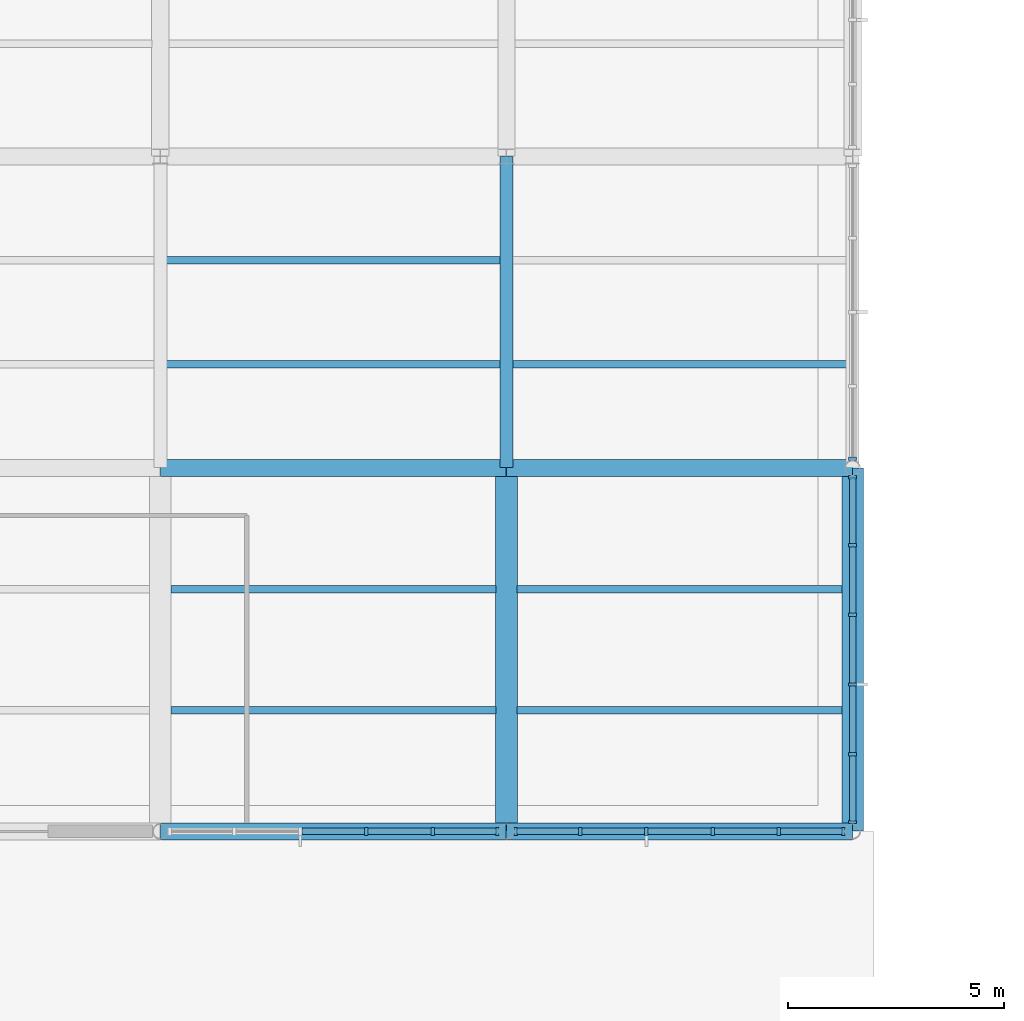
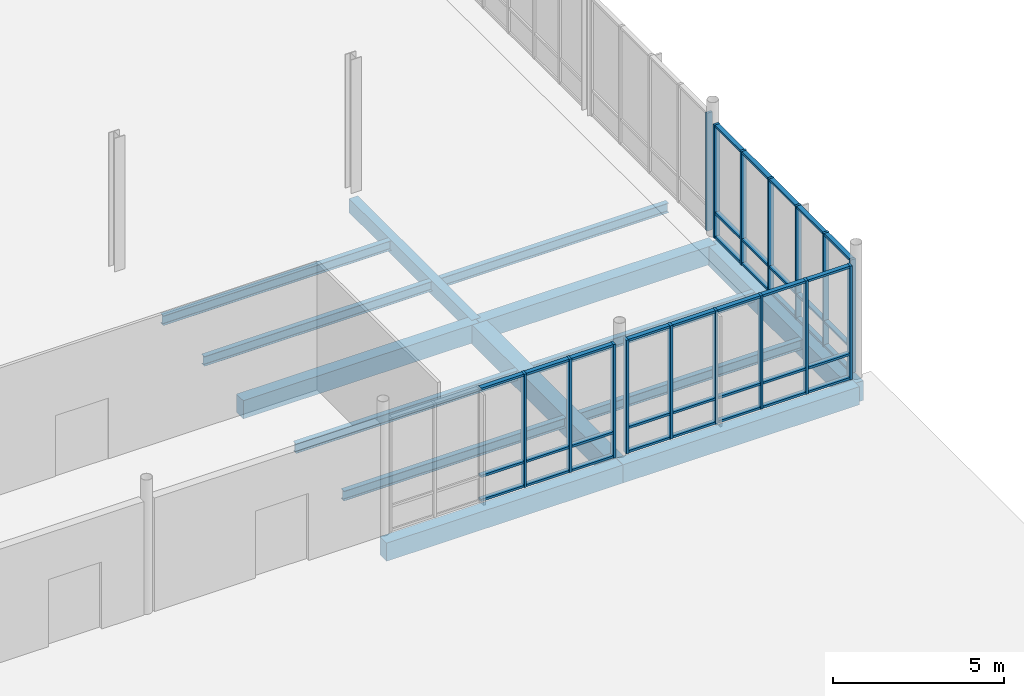
# One storey, part 24 of 82: 55 members, 14 beams, 4 elements without a shape of their own.
"""IFC4 building model written with IfcOpenShell, lengths in metres."""

from ifc_helpers import new_model, si_unit, direction, frame, origin, origin_2d, place, context, subcontext, project, spatial, rectangle, i_section, extrude, material, layer, layer_set, material_profile, profile_set, type_object, element, aggregate, save


model = new_model("IFC4")

# Units and contexts
model_context = context("Model", 3, precision=1e-05, world=origin(), true_north=direction((0.0, 1.0)))
body_context = subcontext(model_context, "Body", "Model", "MODEL_VIEW")
ifc_project = project(units=[si_unit("LENGTHUNIT", "METRE"), si_unit("AREAUNIT", "SQUARE_METRE"), si_unit("VOLUMEUNIT", "CUBIC_METRE"), si_unit("PLANEANGLEUNIT", "RADIAN"), si_unit("MASSUNIT", "GRAM", prefix="KILO")], contexts=[model_context])

# Site, building, storey
site_placement = place(None, origin())
site = spatial("IfcSite", under=ifc_project, at=site_placement, CompositionType="ELEMENT")
building_placement = place(site_placement, origin())
building = spatial("IfcBuilding", under=site, at=building_placement, Name="Yukiwa Park Conservatory and Herbarium", CompositionType="ELEMENT")
storey_placement = place(building_placement, origin())
storey = spatial("IfcBuildingStorey", under=building, at=storey_placement, Name="L00", CompositionType="ELEMENT", Elevation=0.0)

# Beams
ifc_material_1 = material(Name="Steel Q355D", Category="steel")
ifc_material_profile_1 = material_profile(ifc_material_1, i_section(OverallWidth=0.174072265625, OverallDepth=0.345947265625, WebThickness=0.006103515625, FlangeThickness=0.009033203125, FilletRadius=0.013916015625, at=origin_2d()), Name="HN 346x174x6x9")
ifc_profile_set_1 = profile_set([ifc_material_profile_1], Name="Steel Q355D")
beam_type_1 = type_object("IfcBeamType", Name="BM-JST-HN346", PredefinedType="JOIST", material=ifc_profile_set_1)
for number, where, z_axis, x_axis, name in (
    (1, (92.24609375, 18.39990234375, -0.43310546875), (1.0, 0.0, 0.0), (0.0, 1.0, 0.0), "L00 composite floor joist 151"),
    (2, (92.24609375, 21.199951171875, -0.43310546875), (1.0, 0.0, 0.0), (0.0, 1.0, 0.0), "L00 composite floor joist 152"),
):
    element("IfcBeam", number, at=place(storey_placement, frame(where, z_axis=z_axis, x_axis=x_axis)), inside=storey, type_object=beam_type_1, Name=name, PredefinedType="JOIST", context=body_context, shape_type="SweptSolid", body=[
        extrude(i_section(OverallWidth=0.174072265625, OverallDepth=0.345947265625, WebThickness=0.006103515625, FlangeThickness=0.009033203125, FilletRadius=0.013916015625, at=origin_2d()), origin(), (0.0, 0.0, 1.0), 7.5078125),
    ])
for number, where, z_axis, x_axis, name in (
    (3, (92.14599609375, 26.39990234375, -0.43310546875), (1.0, 0.0, 0.0), (0.0, 1.0, 0.0), "L00 composite floor joist 153"),
    (4, (92.14599609375, 28.800048828125, -0.43310546875), (1.0, 0.0, 0.0), (0.0, 1.0, 0.0), "L00 composite floor joist 154"),
):
    element("IfcBeam", number, at=place(storey_placement, frame(where, z_axis=z_axis, x_axis=x_axis)), inside=storey, type_object=beam_type_1, Name=name, PredefinedType="JOIST", context=body_context, shape_type="SweptSolid", body=[
        extrude(i_section(OverallWidth=0.174072265625, OverallDepth=0.345947265625, WebThickness=0.006103515625, FlangeThickness=0.009033203125, FilletRadius=0.013916015625, at=origin_2d()), origin(), (0.0, 0.0, 1.0), 7.7080078125),
    ])
for number, where, z_axis, x_axis, name in (
    (5, (100.24609375, 18.39990234375, -0.43310546875), (1.0, 0.0, 0.0), (0.0, 1.0, 0.0), "L00 composite floor joist 167"),
    (6, (100.24609375, 21.199951171875, -0.43310546875), (1.0, 0.0, 0.0), (0.0, 1.0, 0.0), "L00 composite floor joist 168"),
):
    element("IfcBeam", number, at=place(storey_placement, frame(where, z_axis=z_axis, x_axis=x_axis)), inside=storey, type_object=beam_type_1, Name=name, PredefinedType="JOIST", context=body_context, shape_type="SweptSolid", body=[
        extrude(i_section(OverallWidth=0.174072265625, OverallDepth=0.345947265625, WebThickness=0.006103515625, FlangeThickness=0.009033203125, FilletRadius=0.013916015625, at=origin_2d()), origin(), (0.0, 0.0, 1.0), 7.5078125),
    ])
beam_1_placement = place(storey_placement, frame((100.14599609375, 26.39990234375, -0.43310546875), z_axis=(1.0, 0.0, 0.0), x_axis=(0.0, 1.0, 0.0)))
element("IfcBeam", 7, at=beam_1_placement, inside=storey, type_object=beam_type_1, Name="L00 composite floor joist 169", PredefinedType="JOIST", context=body_context, shape_type="SweptSolid", body=[
    extrude(i_section(OverallWidth=0.174072265625, OverallDepth=0.345947265625, WebThickness=0.006103515625, FlangeThickness=0.009033203125, FilletRadius=0.013916015625, at=origin_2d()), origin(), (0.0, 0.0, 1.0), 7.7080078125),
])
ifc_material_2 = material(Name="Concrete C40", Category="concrete")
ifc_material_profile_2 = material_profile(ifc_material_2, rectangle(XDim=0.300048828125, YDim=0.5, at=origin_2d()), Name="RC 300x500")
ifc_profile_set_2 = profile_set([ifc_material_profile_2], Name="Concrete C40")
beam_type_2 = type_object("IfcBeamType", Name="BM-RC-300X500", PredefinedType="BEAM", material=ifc_profile_set_2)
beam_2_placement = place(storey_placement, frame((100.0, 24.006103515625, -0.510009765625), z_axis=(0.0, 1.0, 0.0), x_axis=(-1.0, 0.0, 0.0)))
element("IfcBeam", 8, at=beam_2_placement, inside=storey, type_object=beam_type_2, Name="L00 grid girder Y-256", PredefinedType="BEAM", context=body_context, shape_type="SweptSolid", body=[
    extrude(rectangle(XDim=0.300048828125, YDim=0.5, at=origin_2d()), origin(), (0.0, 0.0, 1.0), 7.18798828125),
])
ifc_material_3 = material(Name="Concrete C40", Category="concrete")
ifc_material_profile_3 = material_profile(ifc_material_3, rectangle(XDim=0.39990234375, YDim=0.64990234375, at=origin_2d()), Name="RC 400x650")
ifc_profile_set_3 = profile_set([ifc_material_profile_3], Name="Concrete C40")
beam_type_3 = type_object("IfcBeamType", Name="BM-RC-400X650", PredefinedType="BEAM", material=ifc_profile_set_3)
for number, where, z_axis, x_axis, name in (
    (9, (92.006103515625, 15.60009765625, -0.5849609375), (1.0, 0.0, 0.0), (0.0, 1.0, 0.0), "L00 grid beam X-29"),
    (10, (100.006103515625, 15.60009765625, -0.5849609375), (1.0, 0.0, 0.0), (0.0, 1.0, 0.0), "L00 grid beam X-30"),
    (11, (92.006103515625, 24.0, -0.5849609375), (1.0, 0.0, 0.0), (0.0, 1.0, 0.0), "L00 grid beam X-43"),
    (12, (100.006103515625, 24.0, -0.5849609375), (1.0, 0.0, 0.0), (0.0, 1.0, 0.0), "L00 grid beam X-44"),
):
    element("IfcBeam", number, at=place(storey_placement, frame(where, z_axis=z_axis, x_axis=x_axis)), inside=storey, type_object=beam_type_3, Name=name, PredefinedType="BEAM", context=body_context, shape_type="SweptSolid", body=[
        extrude(rectangle(XDim=0.39990234375, YDim=0.64990234375, at=origin_2d()), origin(), (0.0, 0.0, 1.0), 7.98779296875),
    ])
ifc_material_4 = material(Name="Concrete C40", Category="concrete")
ifc_material_profile_4 = material_profile(ifc_material_4, rectangle(XDim=0.5, YDim=0.699951171875, at=origin_2d()), Name="RC 500x700")
ifc_profile_set_4 = profile_set([ifc_material_profile_4], Name="Concrete C40")
beam_type_4 = type_object("IfcBeamType", Name="BM-RC-500X700", PredefinedType="BEAM", material=ifc_profile_set_4)
for number, where, z_axis, x_axis, name in (
    (13, (100.0, 15.60595703125, -0.610107421875), (0.0, 1.0, 0.0), (-1.0, 0.0, 0.0), "L00 grid girder Y-255"),
    (14, (108.0, 15.60595703125, -0.610107421875), (0.0, 1.0, 0.0), (-1.0, 0.0, 0.0), "L00 grid girder Y-263"),
):
    element("IfcBeam", number, at=place(storey_placement, frame(where, z_axis=z_axis, x_axis=x_axis)), inside=storey, type_object=beam_type_4, Name=name, PredefinedType="BEAM", context=body_context, shape_type="SweptSolid", body=[
        extrude(rectangle(XDim=0.5, YDim=0.699951171875, at=origin_2d()), origin(), (0.0, 0.0, 1.0), 8.387939453125),
    ])

# Curtain wall, members
ifc_material_5 = material(Name="Triple Low-E Insulated Glass", Category="glass")
ifc_layer = layer(ifc_material_5, 0.176025390625)
ifc_layer_set = layer_set([ifc_layer], Name="Triple Low-E Insulated Glass")
curtain_wall_type = type_object("IfcCurtainWallType", Name="CW-CONCOURSE-1600", PredefinedType="NOTDEFINED", material=ifc_layer_set)
curtain_wall_1_placement = place(storey_placement, origin())
curtain_wall_1 = element("IfcCurtainWall", 15, at=curtain_wall_1_placement, inside=storey, type_object=curtain_wall_type, Name="L00 unitised curtain wall CW-L00-009", PredefinedType="NOTDEFINED")
ifc_material_6 = material(Name="Anodised Aluminium", Category="aluminium")
member_type_1 = type_object("IfcMemberType", Name="MB-CW-MUL-80X180", PredefinedType="MULLION", material=ifc_material_6)
member_1_placement = place(storey_placement, frame((96.764404296875, 15.60009765625, 0.0), z_axis=(0.0, 0.0, 1.0), x_axis=(1.0, 0.0, 0.0)))
member_1 = element("IfcMember", 16, at=member_1_placement, type_object=member_type_1, Name="CW-L00-009 mullion 4", PredefinedType="MULLION", context=body_context, shape_type="SweptSolid", body=[
    extrude(rectangle(XDim=0.080078125, YDim=0.179931640625, at=origin_2d()), origin(), (0.0, 0.0, 1.0), 4.06005859375),
])
member_2_placement = place(storey_placement, frame((98.293212890625, 15.60009765625, 0.0), z_axis=(0.0, 0.0, 1.0), x_axis=(1.0, 0.0, 0.0)))
member_2 = element("IfcMember", 17, at=member_2_placement, type_object=member_type_1, Name="CW-L00-009 mullion 5", PredefinedType="MULLION", context=body_context, shape_type="SweptSolid", body=[
    extrude(rectangle(XDim=0.080078125, YDim=0.179931640625, at=origin_2d()), origin(), (0.0, 0.0, 1.0), 4.06005859375),
])
member_3_placement = place(storey_placement, frame((99.7822265625, 15.60009765625, 0.0), z_axis=(0.0, 0.0, 1.0), x_axis=(1.0, 0.0, 0.0)))
member_3 = element("IfcMember", 18, at=member_3_placement, type_object=member_type_1, Name="CW-L00-009 mullion 6", PredefinedType="MULLION", context=body_context, shape_type="SweptSolid", body=[
    extrude(rectangle(XDim=0.080078125, YDim=0.179931640625, at=origin_2d()), origin(), (0.0, 0.0, 1.0), 4.06005859375),
])

curtain_wall_2_placement = place(storey_placement, origin())
curtain_wall_2 = element("IfcCurtainWall", 19, at=curtain_wall_2_placement, inside=storey, type_object=curtain_wall_type, Name="L00 unitised curtain wall CW-L00-010", PredefinedType="NOTDEFINED")
member_4_placement = place(storey_placement, frame((100.2177734375, 15.60009765625, 0.0), z_axis=(0.0, 0.0, 1.0), x_axis=(1.0, 0.0, 0.0)))
member_4 = element("IfcMember", 20, at=member_4_placement, type_object=member_type_1, Name="CW-L00-010 mullion 1", PredefinedType="MULLION", context=body_context, shape_type="SweptSolid", body=[
    extrude(rectangle(XDim=0.080078125, YDim=0.179931640625, at=origin_2d()), origin(), (0.0, 0.0, 1.0), 4.06005859375),
])
member_5_placement = place(storey_placement, frame((101.706787109375, 15.60009765625, 0.0), z_axis=(0.0, 0.0, 1.0), x_axis=(1.0, 0.0, 0.0)))
member_5 = element("IfcMember", 21, at=member_5_placement, type_object=member_type_1, Name="CW-L00-010 mullion 2", PredefinedType="MULLION", context=body_context, shape_type="SweptSolid", body=[
    extrude(rectangle(XDim=0.080078125, YDim=0.179931640625, at=origin_2d()), origin(), (0.0, 0.0, 1.0), 4.06005859375),
])
member_6_placement = place(storey_placement, frame((103.235595703125, 15.60009765625, 0.0), z_axis=(0.0, 0.0, 1.0), x_axis=(1.0, 0.0, 0.0)))
member_6 = element("IfcMember", 22, at=member_6_placement, type_object=member_type_1, Name="CW-L00-010 mullion 3", PredefinedType="MULLION", context=body_context, shape_type="SweptSolid", body=[
    extrude(rectangle(XDim=0.080078125, YDim=0.179931640625, at=origin_2d()), origin(), (0.0, 0.0, 1.0), 4.06005859375),
])
member_7_placement = place(storey_placement, frame((104.764404296875, 15.60009765625, 0.0), z_axis=(0.0, 0.0, 1.0), x_axis=(1.0, 0.0, 0.0)))
member_7 = element("IfcMember", 23, at=member_7_placement, type_object=member_type_1, Name="CW-L00-010 mullion 4", PredefinedType="MULLION", context=body_context, shape_type="SweptSolid", body=[
    extrude(rectangle(XDim=0.080078125, YDim=0.179931640625, at=origin_2d()), origin(), (0.0, 0.0, 1.0), 4.06005859375),
])
member_8_placement = place(storey_placement, frame((106.293212890625, 15.60009765625, 0.0), z_axis=(0.0, 0.0, 1.0), x_axis=(1.0, 0.0, 0.0)))
member_8 = element("IfcMember", 24, at=member_8_placement, type_object=member_type_1, Name="CW-L00-010 mullion 5", PredefinedType="MULLION", context=body_context, shape_type="SweptSolid", body=[
    extrude(rectangle(XDim=0.080078125, YDim=0.179931640625, at=origin_2d()), origin(), (0.0, 0.0, 1.0), 4.06005859375),
])
member_9_placement = place(storey_placement, frame((107.7822265625, 15.60009765625, 0.0), z_axis=(0.0, 0.0, 1.0), x_axis=(1.0, 0.0, 0.0)))
member_9 = element("IfcMember", 25, at=member_9_placement, type_object=member_type_1, Name="CW-L00-010 mullion 6", PredefinedType="MULLION", context=body_context, shape_type="SweptSolid", body=[
    extrude(rectangle(XDim=0.080078125, YDim=0.179931640625, at=origin_2d()), origin(), (0.0, 0.0, 1.0), 4.06005859375),
])

curtain_wall_3_placement = place(storey_placement, origin())
curtain_wall_3 = element("IfcCurtainWall", 26, at=curtain_wall_3_placement, inside=storey, type_object=curtain_wall_type, Name="L00 unitised curtain wall CW-L00-011", PredefinedType="NOTDEFINED")
member_10_placement = place(storey_placement, frame((108.0, 15.81787109375, 0.0), z_axis=(0.0, 0.0, 1.0), x_axis=(0.0, 1.0, 0.0)))
member_10 = element("IfcMember", 27, at=member_10_placement, type_object=member_type_1, Name="CW-L00-011 mullion 1", PredefinedType="MULLION", context=body_context, shape_type="SweptSolid", body=[
    extrude(rectangle(XDim=0.080078125, YDim=0.179931640625, at=origin_2d()), origin(), (0.0, 0.0, 1.0), 4.06005859375),
])
member_11_placement = place(storey_placement, frame((108.0, 17.38671875, 0.0), z_axis=(0.0, 0.0, 1.0), x_axis=(0.0, 1.0, 0.0)))
member_11 = element("IfcMember", 28, at=member_11_placement, type_object=member_type_1, Name="CW-L00-011 mullion 2", PredefinedType="MULLION", context=body_context, shape_type="SweptSolid", body=[
    extrude(rectangle(XDim=0.080078125, YDim=0.179931640625, at=origin_2d()), origin(), (0.0, 0.0, 1.0), 4.06005859375),
])
member_12_placement = place(storey_placement, frame((108.0, 18.99560546875, 0.0), z_axis=(0.0, 0.0, 1.0), x_axis=(0.0, 1.0, 0.0)))
member_12 = element("IfcMember", 29, at=member_12_placement, type_object=member_type_1, Name="CW-L00-011 mullion 3", PredefinedType="MULLION", context=body_context, shape_type="SweptSolid", body=[
    extrude(rectangle(XDim=0.080078125, YDim=0.179931640625, at=origin_2d()), origin(), (0.0, 0.0, 1.0), 4.06005859375),
])
member_13_placement = place(storey_placement, frame((108.0, 20.6044921875, 0.0), z_axis=(0.0, 0.0, 1.0), x_axis=(0.0, 1.0, 0.0)))
member_13 = element("IfcMember", 30, at=member_13_placement, type_object=member_type_1, Name="CW-L00-011 mullion 4", PredefinedType="MULLION", context=body_context, shape_type="SweptSolid", body=[
    extrude(rectangle(XDim=0.080078125, YDim=0.179931640625, at=origin_2d()), origin(), (0.0, 0.0, 1.0), 4.06005859375),
])
member_14_placement = place(storey_placement, frame((108.0, 22.21337890625, 0.0), z_axis=(0.0, 0.0, 1.0), x_axis=(0.0, 1.0, 0.0)))
member_14 = element("IfcMember", 31, at=member_14_placement, type_object=member_type_1, Name="CW-L00-011 mullion 5", PredefinedType="MULLION", context=body_context, shape_type="SweptSolid", body=[
    extrude(rectangle(XDim=0.080078125, YDim=0.179931640625, at=origin_2d()), origin(), (0.0, 0.0, 1.0), 4.06005859375),
])
member_15_placement = place(storey_placement, frame((108.0, 23.7822265625, 0.0), z_axis=(0.0, 0.0, 1.0), x_axis=(0.0, 1.0, 0.0)))
member_15 = element("IfcMember", 32, at=member_15_placement, type_object=member_type_1, Name="CW-L00-011 mullion 6", PredefinedType="MULLION", context=body_context, shape_type="SweptSolid", body=[
    extrude(rectangle(XDim=0.080078125, YDim=0.179931640625, at=origin_2d()), origin(), (0.0, 0.0, 1.0), 4.06005859375),
])

# Curtain wall, member
curtain_wall_4_placement = place(storey_placement, origin())
curtain_wall_4 = element("IfcCurtainWall", 33, at=curtain_wall_4_placement, inside=storey, type_object=curtain_wall_type, Name="L00 unitised curtain wall CW-L00-012", PredefinedType="NOTDEFINED")
member_16_placement = place(storey_placement, frame((108.0, 24.2177734375, 0.0), z_axis=(0.0, 0.0, 1.0), x_axis=(0.0, 1.0, 0.0)))
member_16 = element("IfcMember", 34, at=member_16_placement, type_object=member_type_1, Name="CW-L00-012 mullion 1", PredefinedType="MULLION", context=body_context, shape_type="SweptSolid", body=[
    extrude(rectangle(XDim=0.080078125, YDim=0.179931640625, at=origin_2d()), origin(), (0.0, 0.0, 1.0), 4.219970703125),
])
aggregate(curtain_wall_4, [member_16])

# Member
ifc_material_7 = material(Name="Anodised Aluminium", Category="aluminium")
member_type_2 = type_object("IfcMemberType", Name="MB-CW-TRN-80X150", PredefinedType="USERDEFINED", material=ifc_material_7)
member_17_placement = place(storey_placement, frame((96.0, 15.60009765625, 0.0), z_axis=(0.0, 0.0, 1.0), x_axis=(1.0, 0.0, 0.0)))
member_17 = element("IfcMember", 35, at=member_17_placement, type_object=member_type_2, Name="CW-L00-009 transom 3.1", ObjectType="TRANSOM", PredefinedType="USERDEFINED", context=body_context, shape_type="SweptSolid", body=[
    extrude(rectangle(XDim=1.448974609375, YDim=0.14990234375, at=origin_2d()), origin(), (0.0, 0.0, 1.0), 0.080078125),
])

member_18_placement = place(storey_placement, frame((96.0, 15.60009765625, 0.85986328125), z_axis=(0.0, 0.0, 1.0), x_axis=(1.0, 0.0, 0.0)))
member_18 = element("IfcMember", 36, at=member_18_placement, type_object=member_type_2, Name="CW-L00-009 transom 3.2", ObjectType="TRANSOM", PredefinedType="USERDEFINED", context=body_context, shape_type="SweptSolid", body=[
    extrude(rectangle(XDim=1.448974609375, YDim=0.14990234375, at=origin_2d()), origin(), (0.0, 0.0, 1.0), 0.080078125),
])

member_19_placement = place(storey_placement, frame((96.0, 15.60009765625, 3.97998046875), z_axis=(0.0, 0.0, 1.0), x_axis=(1.0, 0.0, 0.0)))
member_19 = element("IfcMember", 37, at=member_19_placement, type_object=member_type_2, Name="CW-L00-009 transom 3.3", ObjectType="TRANSOM", PredefinedType="USERDEFINED", context=body_context, shape_type="SweptSolid", body=[
    extrude(rectangle(XDim=1.448974609375, YDim=0.14990234375, at=origin_2d()), origin(), (0.0, 0.0, 1.0), 0.080078125),
])

member_20_placement = place(storey_placement, frame((97.52880859375, 15.60009765625, 0.0), z_axis=(0.0, 0.0, 1.0), x_axis=(1.0, 0.0, 0.0)))
member_20 = element("IfcMember", 38, at=member_20_placement, type_object=member_type_2, Name="CW-L00-009 transom 4.1", ObjectType="TRANSOM", PredefinedType="USERDEFINED", context=body_context, shape_type="SweptSolid", body=[
    extrude(rectangle(XDim=1.448974609375, YDim=0.14990234375, at=origin_2d()), origin(), (0.0, 0.0, 1.0), 0.080078125),
])

member_21_placement = place(storey_placement, frame((97.52880859375, 15.60009765625, 0.85986328125), z_axis=(0.0, 0.0, 1.0), x_axis=(1.0, 0.0, 0.0)))
member_21 = element("IfcMember", 39, at=member_21_placement, type_object=member_type_2, Name="CW-L00-009 transom 4.2", ObjectType="TRANSOM", PredefinedType="USERDEFINED", context=body_context, shape_type="SweptSolid", body=[
    extrude(rectangle(XDim=1.448974609375, YDim=0.14990234375, at=origin_2d()), origin(), (0.0, 0.0, 1.0), 0.080078125),
])

member_22_placement = place(storey_placement, frame((97.52880859375, 15.60009765625, 3.97998046875), z_axis=(0.0, 0.0, 1.0), x_axis=(1.0, 0.0, 0.0)))
member_22 = element("IfcMember", 40, at=member_22_placement, type_object=member_type_2, Name="CW-L00-009 transom 4.3", ObjectType="TRANSOM", PredefinedType="USERDEFINED", context=body_context, shape_type="SweptSolid", body=[
    extrude(rectangle(XDim=1.448974609375, YDim=0.14990234375, at=origin_2d()), origin(), (0.0, 0.0, 1.0), 0.080078125),
])

member_23_placement = place(storey_placement, frame((99.057861328125, 15.60009765625, 0.0), z_axis=(0.0, 0.0, 1.0), x_axis=(1.0, 0.0, 0.0)))
member_23 = element("IfcMember", 41, at=member_23_placement, type_object=member_type_2, Name="CW-L00-009 transom 5.1", ObjectType="TRANSOM", PredefinedType="USERDEFINED", context=body_context, shape_type="SweptSolid", body=[
    extrude(rectangle(XDim=1.448974609375, YDim=0.14990234375, at=origin_2d()), origin(), (0.0, 0.0, 1.0), 0.080078125),
])

member_24_placement = place(storey_placement, frame((99.057861328125, 15.60009765625, 0.85986328125), z_axis=(0.0, 0.0, 1.0), x_axis=(1.0, 0.0, 0.0)))
member_24 = element("IfcMember", 42, at=member_24_placement, type_object=member_type_2, Name="CW-L00-009 transom 5.2", ObjectType="TRANSOM", PredefinedType="USERDEFINED", context=body_context, shape_type="SweptSolid", body=[
    extrude(rectangle(XDim=1.448974609375, YDim=0.14990234375, at=origin_2d()), origin(), (0.0, 0.0, 1.0), 0.080078125),
])

member_25_placement = place(storey_placement, frame((99.057861328125, 15.60009765625, 3.97998046875), z_axis=(0.0, 0.0, 1.0), x_axis=(1.0, 0.0, 0.0)))
member_25 = element("IfcMember", 43, at=member_25_placement, type_object=member_type_2, Name="CW-L00-009 transom 5.3", ObjectType="TRANSOM", PredefinedType="USERDEFINED", context=body_context, shape_type="SweptSolid", body=[
    extrude(rectangle(XDim=1.448974609375, YDim=0.14990234375, at=origin_2d()), origin(), (0.0, 0.0, 1.0), 0.080078125),
])

aggregate(curtain_wall_1, [member_1, member_2, member_3, member_17, member_18, member_19, member_20, member_21, member_22, member_23, member_24, member_25])

member_26_placement = place(storey_placement, frame((100.942138671875, 15.60009765625, 0.0), z_axis=(0.0, 0.0, 1.0), x_axis=(1.0, 0.0, 0.0)))
member_26 = element("IfcMember", 44, at=member_26_placement, type_object=member_type_2, Name="CW-L00-010 transom 1.1", ObjectType="TRANSOM", PredefinedType="USERDEFINED", context=body_context, shape_type="SweptSolid", body=[
    extrude(rectangle(XDim=1.448974609375, YDim=0.14990234375, at=origin_2d()), origin(), (0.0, 0.0, 1.0), 0.080078125),
])

member_27_placement = place(storey_placement, frame((100.942138671875, 15.60009765625, 0.85986328125), z_axis=(0.0, 0.0, 1.0), x_axis=(1.0, 0.0, 0.0)))
member_27 = element("IfcMember", 45, at=member_27_placement, type_object=member_type_2, Name="CW-L00-010 transom 1.2", ObjectType="TRANSOM", PredefinedType="USERDEFINED", context=body_context, shape_type="SweptSolid", body=[
    extrude(rectangle(XDim=1.448974609375, YDim=0.14990234375, at=origin_2d()), origin(), (0.0, 0.0, 1.0), 0.080078125),
])

member_28_placement = place(storey_placement, frame((100.942138671875, 15.60009765625, 3.97998046875), z_axis=(0.0, 0.0, 1.0), x_axis=(1.0, 0.0, 0.0)))
member_28 = element("IfcMember", 46, at=member_28_placement, type_object=member_type_2, Name="CW-L00-010 transom 1.3", ObjectType="TRANSOM", PredefinedType="USERDEFINED", context=body_context, shape_type="SweptSolid", body=[
    extrude(rectangle(XDim=1.448974609375, YDim=0.14990234375, at=origin_2d()), origin(), (0.0, 0.0, 1.0), 0.080078125),
])

member_29_placement = place(storey_placement, frame((102.47119140625, 15.60009765625, 0.0), z_axis=(0.0, 0.0, 1.0), x_axis=(1.0, 0.0, 0.0)))
member_29 = element("IfcMember", 47, at=member_29_placement, type_object=member_type_2, Name="CW-L00-010 transom 2.1", ObjectType="TRANSOM", PredefinedType="USERDEFINED", context=body_context, shape_type="SweptSolid", body=[
    extrude(rectangle(XDim=1.448974609375, YDim=0.14990234375, at=origin_2d()), origin(), (0.0, 0.0, 1.0), 0.080078125),
])

member_30_placement = place(storey_placement, frame((102.47119140625, 15.60009765625, 0.85986328125), z_axis=(0.0, 0.0, 1.0), x_axis=(1.0, 0.0, 0.0)))
member_30 = element("IfcMember", 48, at=member_30_placement, type_object=member_type_2, Name="CW-L00-010 transom 2.2", ObjectType="TRANSOM", PredefinedType="USERDEFINED", context=body_context, shape_type="SweptSolid", body=[
    extrude(rectangle(XDim=1.448974609375, YDim=0.14990234375, at=origin_2d()), origin(), (0.0, 0.0, 1.0), 0.080078125),
])

member_31_placement = place(storey_placement, frame((102.47119140625, 15.60009765625, 3.97998046875), z_axis=(0.0, 0.0, 1.0), x_axis=(1.0, 0.0, 0.0)))
member_31 = element("IfcMember", 49, at=member_31_placement, type_object=member_type_2, Name="CW-L00-010 transom 2.3", ObjectType="TRANSOM", PredefinedType="USERDEFINED", context=body_context, shape_type="SweptSolid", body=[
    extrude(rectangle(XDim=1.448974609375, YDim=0.14990234375, at=origin_2d()), origin(), (0.0, 0.0, 1.0), 0.080078125),
])

member_32_placement = place(storey_placement, frame((104.0, 15.60009765625, 0.0), z_axis=(0.0, 0.0, 1.0), x_axis=(1.0, 0.0, 0.0)))
member_32 = element("IfcMember", 50, at=member_32_placement, type_object=member_type_2, Name="CW-L00-010 transom 3.1", ObjectType="TRANSOM", PredefinedType="USERDEFINED", context=body_context, shape_type="SweptSolid", body=[
    extrude(rectangle(XDim=1.448974609375, YDim=0.14990234375, at=origin_2d()), origin(), (0.0, 0.0, 1.0), 0.080078125),
])

member_33_placement = place(storey_placement, frame((104.0, 15.60009765625, 0.85986328125), z_axis=(0.0, 0.0, 1.0), x_axis=(1.0, 0.0, 0.0)))
member_33 = element("IfcMember", 51, at=member_33_placement, type_object=member_type_2, Name="CW-L00-010 transom 3.2", ObjectType="TRANSOM", PredefinedType="USERDEFINED", context=body_context, shape_type="SweptSolid", body=[
    extrude(rectangle(XDim=1.448974609375, YDim=0.14990234375, at=origin_2d()), origin(), (0.0, 0.0, 1.0), 0.080078125),
])

member_34_placement = place(storey_placement, frame((104.0, 15.60009765625, 3.97998046875), z_axis=(0.0, 0.0, 1.0), x_axis=(1.0, 0.0, 0.0)))
member_34 = element("IfcMember", 52, at=member_34_placement, type_object=member_type_2, Name="CW-L00-010 transom 3.3", ObjectType="TRANSOM", PredefinedType="USERDEFINED", context=body_context, shape_type="SweptSolid", body=[
    extrude(rectangle(XDim=1.448974609375, YDim=0.14990234375, at=origin_2d()), origin(), (0.0, 0.0, 1.0), 0.080078125),
])

member_35_placement = place(storey_placement, frame((105.52880859375, 15.60009765625, 0.0), z_axis=(0.0, 0.0, 1.0), x_axis=(1.0, 0.0, 0.0)))
member_35 = element("IfcMember", 53, at=member_35_placement, type_object=member_type_2, Name="CW-L00-010 transom 4.1", ObjectType="TRANSOM", PredefinedType="USERDEFINED", context=body_context, shape_type="SweptSolid", body=[
    extrude(rectangle(XDim=1.448974609375, YDim=0.14990234375, at=origin_2d()), origin(), (0.0, 0.0, 1.0), 0.080078125),
])

member_36_placement = place(storey_placement, frame((105.52880859375, 15.60009765625, 0.85986328125), z_axis=(0.0, 0.0, 1.0), x_axis=(1.0, 0.0, 0.0)))
member_36 = element("IfcMember", 54, at=member_36_placement, type_object=member_type_2, Name="CW-L00-010 transom 4.2", ObjectType="TRANSOM", PredefinedType="USERDEFINED", context=body_context, shape_type="SweptSolid", body=[
    extrude(rectangle(XDim=1.448974609375, YDim=0.14990234375, at=origin_2d()), origin(), (0.0, 0.0, 1.0), 0.080078125),
])

member_37_placement = place(storey_placement, frame((105.52880859375, 15.60009765625, 3.97998046875), z_axis=(0.0, 0.0, 1.0), x_axis=(1.0, 0.0, 0.0)))
member_37 = element("IfcMember", 55, at=member_37_placement, type_object=member_type_2, Name="CW-L00-010 transom 4.3", ObjectType="TRANSOM", PredefinedType="USERDEFINED", context=body_context, shape_type="SweptSolid", body=[
    extrude(rectangle(XDim=1.448974609375, YDim=0.14990234375, at=origin_2d()), origin(), (0.0, 0.0, 1.0), 0.080078125),
])

member_38_placement = place(storey_placement, frame((107.057861328125, 15.60009765625, 0.0), z_axis=(0.0, 0.0, 1.0), x_axis=(1.0, 0.0, 0.0)))
member_38 = element("IfcMember", 56, at=member_38_placement, type_object=member_type_2, Name="CW-L00-010 transom 5.1", ObjectType="TRANSOM", PredefinedType="USERDEFINED", context=body_context, shape_type="SweptSolid", body=[
    extrude(rectangle(XDim=1.448974609375, YDim=0.14990234375, at=origin_2d()), origin(), (0.0, 0.0, 1.0), 0.080078125),
])

member_39_placement = place(storey_placement, frame((107.057861328125, 15.60009765625, 0.85986328125), z_axis=(0.0, 0.0, 1.0), x_axis=(1.0, 0.0, 0.0)))
member_39 = element("IfcMember", 57, at=member_39_placement, type_object=member_type_2, Name="CW-L00-010 transom 5.2", ObjectType="TRANSOM", PredefinedType="USERDEFINED", context=body_context, shape_type="SweptSolid", body=[
    extrude(rectangle(XDim=1.448974609375, YDim=0.14990234375, at=origin_2d()), origin(), (0.0, 0.0, 1.0), 0.080078125),
])

member_40_placement = place(storey_placement, frame((107.057861328125, 15.60009765625, 3.97998046875), z_axis=(0.0, 0.0, 1.0), x_axis=(1.0, 0.0, 0.0)))
member_40 = element("IfcMember", 58, at=member_40_placement, type_object=member_type_2, Name="CW-L00-010 transom 5.3", ObjectType="TRANSOM", PredefinedType="USERDEFINED", context=body_context, shape_type="SweptSolid", body=[
    extrude(rectangle(XDim=1.448974609375, YDim=0.14990234375, at=origin_2d()), origin(), (0.0, 0.0, 1.0), 0.080078125),
])

aggregate(curtain_wall_2, [member_4, member_5, member_6, member_7, member_8, member_9, member_26, member_27, member_28, member_29, member_30, member_31, member_32, member_33, member_34, member_35, member_36, member_37, member_38, member_39, member_40])

member_41_placement = place(storey_placement, frame((108.0, 16.582275390625, 0.0), z_axis=(0.0, 0.0, 1.0), x_axis=(0.0, 1.0, 0.0)))
member_41 = element("IfcMember", 59, at=member_41_placement, type_object=member_type_2, Name="CW-L00-011 transom 1.1", ObjectType="TRANSOM", PredefinedType="USERDEFINED", context=body_context, shape_type="SweptSolid", body=[
    extrude(rectangle(XDim=1.52880859375, YDim=0.14990234375, at=origin_2d()), origin(), (0.0, 0.0, 1.0), 0.080078125),
])

member_42_placement = place(storey_placement, frame((108.0, 16.582275390625, 0.85986328125), z_axis=(0.0, 0.0, 1.0), x_axis=(0.0, 1.0, 0.0)))
member_42 = element("IfcMember", 60, at=member_42_placement, type_object=member_type_2, Name="CW-L00-011 transom 1.2", ObjectType="TRANSOM", PredefinedType="USERDEFINED", context=body_context, shape_type="SweptSolid", body=[
    extrude(rectangle(XDim=1.52880859375, YDim=0.14990234375, at=origin_2d()), origin(), (0.0, 0.0, 1.0), 0.080078125),
])

member_43_placement = place(storey_placement, frame((108.0, 16.582275390625, 3.97998046875), z_axis=(0.0, 0.0, 1.0), x_axis=(0.0, 1.0, 0.0)))
member_43 = element("IfcMember", 61, at=member_43_placement, type_object=member_type_2, Name="CW-L00-011 transom 1.3", ObjectType="TRANSOM", PredefinedType="USERDEFINED", context=body_context, shape_type="SweptSolid", body=[
    extrude(rectangle(XDim=1.52880859375, YDim=0.14990234375, at=origin_2d()), origin(), (0.0, 0.0, 1.0), 0.080078125),
])

member_44_placement = place(storey_placement, frame((108.0, 18.191162109375, 0.0), z_axis=(0.0, 0.0, 1.0), x_axis=(0.0, 1.0, 0.0)))
member_44 = element("IfcMember", 62, at=member_44_placement, type_object=member_type_2, Name="CW-L00-011 transom 2.1", ObjectType="TRANSOM", PredefinedType="USERDEFINED", context=body_context, shape_type="SweptSolid", body=[
    extrude(rectangle(XDim=1.52880859375, YDim=0.14990234375, at=origin_2d()), origin(), (0.0, 0.0, 1.0), 0.080078125),
])

member_45_placement = place(storey_placement, frame((108.0, 18.191162109375, 0.85986328125), z_axis=(0.0, 0.0, 1.0), x_axis=(0.0, 1.0, 0.0)))
member_45 = element("IfcMember", 63, at=member_45_placement, type_object=member_type_2, Name="CW-L00-011 transom 2.2", ObjectType="TRANSOM", PredefinedType="USERDEFINED", context=body_context, shape_type="SweptSolid", body=[
    extrude(rectangle(XDim=1.52880859375, YDim=0.14990234375, at=origin_2d()), origin(), (0.0, 0.0, 1.0), 0.080078125),
])

member_46_placement = place(storey_placement, frame((108.0, 18.191162109375, 3.97998046875), z_axis=(0.0, 0.0, 1.0), x_axis=(0.0, 1.0, 0.0)))
member_46 = element("IfcMember", 64, at=member_46_placement, type_object=member_type_2, Name="CW-L00-011 transom 2.3", ObjectType="TRANSOM", PredefinedType="USERDEFINED", context=body_context, shape_type="SweptSolid", body=[
    extrude(rectangle(XDim=1.52880859375, YDim=0.14990234375, at=origin_2d()), origin(), (0.0, 0.0, 1.0), 0.080078125),
])

member_47_placement = place(storey_placement, frame((108.0, 19.800048828125, 0.0), z_axis=(0.0, 0.0, 1.0), x_axis=(0.0, 1.0, 0.0)))
member_47 = element("IfcMember", 65, at=member_47_placement, type_object=member_type_2, Name="CW-L00-011 transom 3.1", ObjectType="TRANSOM", PredefinedType="USERDEFINED", context=body_context, shape_type="SweptSolid", body=[
    extrude(rectangle(XDim=1.52880859375, YDim=0.14990234375, at=origin_2d()), origin(), (0.0, 0.0, 1.0), 0.080078125),
])

member_48_placement = place(storey_placement, frame((108.0, 19.800048828125, 0.85986328125), z_axis=(0.0, 0.0, 1.0), x_axis=(0.0, 1.0, 0.0)))
member_48 = element("IfcMember", 66, at=member_48_placement, type_object=member_type_2, Name="CW-L00-011 transom 3.2", ObjectType="TRANSOM", PredefinedType="USERDEFINED", context=body_context, shape_type="SweptSolid", body=[
    extrude(rectangle(XDim=1.52880859375, YDim=0.14990234375, at=origin_2d()), origin(), (0.0, 0.0, 1.0), 0.080078125),
])

member_49_placement = place(storey_placement, frame((108.0, 19.800048828125, 3.97998046875), z_axis=(0.0, 0.0, 1.0), x_axis=(0.0, 1.0, 0.0)))
member_49 = element("IfcMember", 67, at=member_49_placement, type_object=member_type_2, Name="CW-L00-011 transom 3.3", ObjectType="TRANSOM", PredefinedType="USERDEFINED", context=body_context, shape_type="SweptSolid", body=[
    extrude(rectangle(XDim=1.52880859375, YDim=0.14990234375, at=origin_2d()), origin(), (0.0, 0.0, 1.0), 0.080078125),
])

member_50_placement = place(storey_placement, frame((108.0, 21.408935546875, 0.0), z_axis=(0.0, 0.0, 1.0), x_axis=(0.0, 1.0, 0.0)))
member_50 = element("IfcMember", 68, at=member_50_placement, type_object=member_type_2, Name="CW-L00-011 transom 4.1", ObjectType="TRANSOM", PredefinedType="USERDEFINED", context=body_context, shape_type="SweptSolid", body=[
    extrude(rectangle(XDim=1.52880859375, YDim=0.14990234375, at=origin_2d()), origin(), (0.0, 0.0, 1.0), 0.080078125),
])

member_51_placement = place(storey_placement, frame((108.0, 21.408935546875, 0.85986328125), z_axis=(0.0, 0.0, 1.0), x_axis=(0.0, 1.0, 0.0)))
member_51 = element("IfcMember", 69, at=member_51_placement, type_object=member_type_2, Name="CW-L00-011 transom 4.2", ObjectType="TRANSOM", PredefinedType="USERDEFINED", context=body_context, shape_type="SweptSolid", body=[
    extrude(rectangle(XDim=1.52880859375, YDim=0.14990234375, at=origin_2d()), origin(), (0.0, 0.0, 1.0), 0.080078125),
])

member_52_placement = place(storey_placement, frame((108.0, 21.408935546875, 3.97998046875), z_axis=(0.0, 0.0, 1.0), x_axis=(0.0, 1.0, 0.0)))
member_52 = element("IfcMember", 70, at=member_52_placement, type_object=member_type_2, Name="CW-L00-011 transom 4.3", ObjectType="TRANSOM", PredefinedType="USERDEFINED", context=body_context, shape_type="SweptSolid", body=[
    extrude(rectangle(XDim=1.52880859375, YDim=0.14990234375, at=origin_2d()), origin(), (0.0, 0.0, 1.0), 0.080078125),
])

member_53_placement = place(storey_placement, frame((108.0, 23.017822265625, 0.0), z_axis=(0.0, 0.0, 1.0), x_axis=(0.0, 1.0, 0.0)))
member_53 = element("IfcMember", 71, at=member_53_placement, type_object=member_type_2, Name="CW-L00-011 transom 5.1", ObjectType="TRANSOM", PredefinedType="USERDEFINED", context=body_context, shape_type="SweptSolid", body=[
    extrude(rectangle(XDim=1.52880859375, YDim=0.14990234375, at=origin_2d()), origin(), (0.0, 0.0, 1.0), 0.080078125),
])

member_54_placement = place(storey_placement, frame((108.0, 23.017822265625, 0.85986328125), z_axis=(0.0, 0.0, 1.0), x_axis=(0.0, 1.0, 0.0)))
member_54 = element("IfcMember", 72, at=member_54_placement, type_object=member_type_2, Name="CW-L00-011 transom 5.2", ObjectType="TRANSOM", PredefinedType="USERDEFINED", context=body_context, shape_type="SweptSolid", body=[
    extrude(rectangle(XDim=1.52880859375, YDim=0.14990234375, at=origin_2d()), origin(), (0.0, 0.0, 1.0), 0.080078125),
])

member_55_placement = place(storey_placement, frame((108.0, 23.017822265625, 3.97998046875), z_axis=(0.0, 0.0, 1.0), x_axis=(0.0, 1.0, 0.0)))
member_55 = element("IfcMember", 73, at=member_55_placement, type_object=member_type_2, Name="CW-L00-011 transom 5.3", ObjectType="TRANSOM", PredefinedType="USERDEFINED", context=body_context, shape_type="SweptSolid", body=[
    extrude(rectangle(XDim=1.52880859375, YDim=0.14990234375, at=origin_2d()), origin(), (0.0, 0.0, 1.0), 0.080078125),
])

aggregate(curtain_wall_3, [member_10, member_11, member_12, member_13, member_14, member_15, member_41, member_42, member_43, member_44, member_45, member_46, member_47, member_48, member_49, member_50, member_51, member_52, member_53, member_54, member_55])

save(model, "model.ifc")
